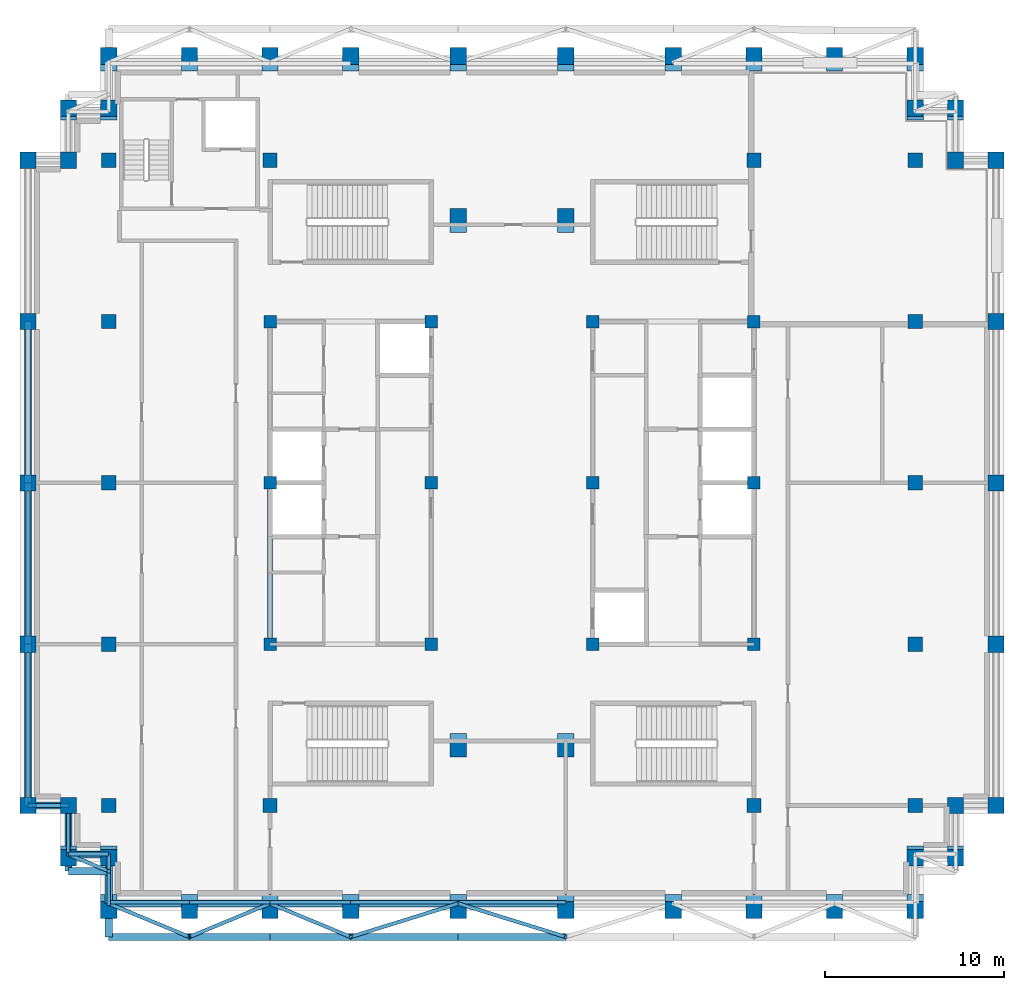
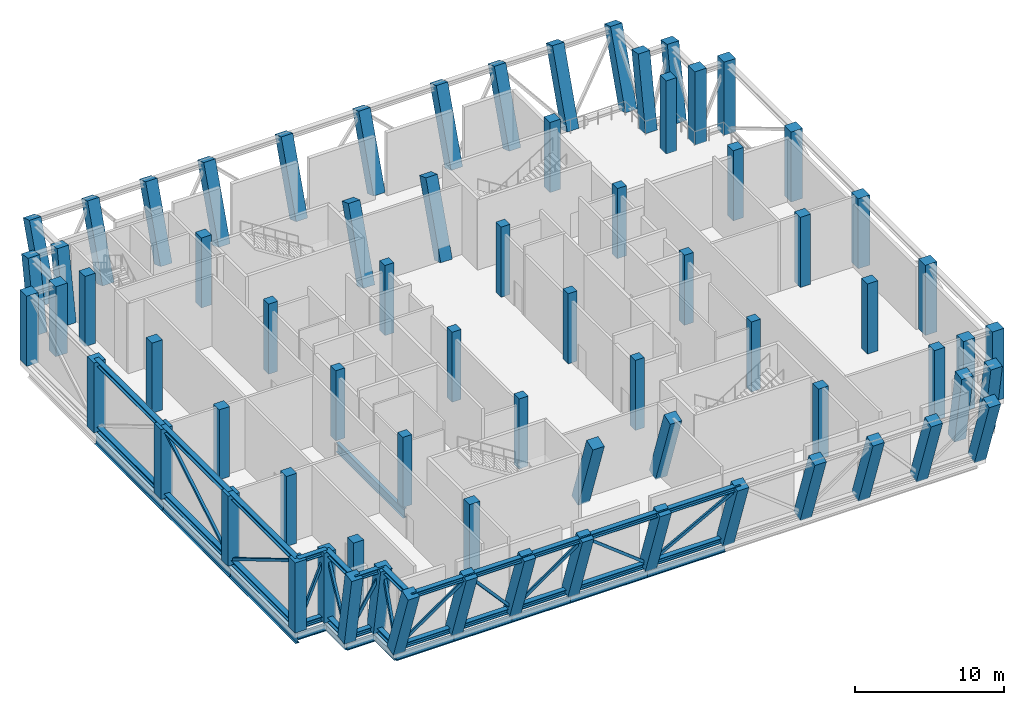
# One storey, part 1 of 9: 72 columns, 35 members, 13 beams.
"""IFC4 building model written with IfcOpenShell, lengths in metres."""

from ifc_helpers import new_model, si_unit, direction, frame, origin, origin_2d, place, context, subcontext, project, spatial, rectangle, hollow_rectangle, i_section, extrude, material, material_profile, profile_set, type_object, element, save


model = new_model("IFC4")

# Units and contexts
model_context = context("Model", 3, precision=1e-05, world=origin(), true_north=direction((0.0, 1.0)))
body_context = subcontext(model_context, "Body", "Model", "MODEL_VIEW")
ifc_project = project(units=[si_unit("LENGTHUNIT", "METRE"), si_unit("AREAUNIT", "SQUARE_METRE"), si_unit("VOLUMEUNIT", "CUBIC_METRE"), si_unit("PLANEANGLEUNIT", "RADIAN"), si_unit("MASSUNIT", "GRAM", prefix="KILO")], contexts=[model_context])

# Site, building, storey
site_placement = place(None, origin())
site = spatial("IfcSite", under=ifc_project, at=site_placement, CompositionType="ELEMENT")
building_placement = place(site_placement, origin())
building = spatial("IfcBuilding", under=site, at=building_placement, Name="Corbelhall Arena Tower", CompositionType="ELEMENT")
storey_placement = place(building_placement, frame((0.0, 0.0, 320.0)))
storey = spatial("IfcBuildingStorey", under=building, at=storey_placement, Name="L70", CompositionType="ELEMENT", Elevation=320.0)

# Columns
ifc_material_1 = material(Name="Concrete C80/95", Category="concrete")
ifc_material_profile_1 = material_profile(ifc_material_1, rectangle(XDim=0.699951171875, YDim=0.699951171875, at=origin_2d()))
ifc_profile_set_1 = profile_set([ifc_material_profile_1], Name="Concrete C80/95")
column_type_1 = type_object("IfcColumnType", Name="ST-COL-RC 700x700", PredefinedType="COLUMN", material=ifc_profile_set_1)
for number, where, z_axis, x_axis, name in (
    (1, (4.5, 0.0, 0.0), (0.0, 0.0, 1.0), (1.0, 0.0, 0.0), "Column KE+0450+0000"),
    (2, (4.5, 9.0, 0.0), (0.0, 0.0, 1.0), (1.0, 0.0, 0.0), "Column KE+0450+0900"),
    (3, (4.5, -9.0, 0.0), (0.0, 0.0, 1.0), (1.0, 0.0, 0.0), "Column KE+0450-0900"),
    (4, (13.5, 0.0, 0.0), (0.0, 0.0, 1.0), (1.0, 0.0, 0.0), "Column KE+1350+0000"),
    (5, (13.5, 9.0, 0.0), (0.0, 0.0, 1.0), (1.0, 0.0, 0.0), "Column KE+1350+0900"),
    (6, (13.5, -9.0, 0.0), (0.0, 0.0, 1.0), (1.0, 0.0, 0.0), "Column KE+1350-0900"),
    (7, (-4.5, 0.0, 0.0), (0.0, 0.0, 1.0), (1.0, 0.0, 0.0), "Column KW-0450+0000"),
    (8, (-4.5, 9.0, 0.0), (0.0, 0.0, 1.0), (1.0, 0.0, 0.0), "Column KW-0450+0900"),
    (9, (-4.5, -9.0, 0.0), (0.0, 0.0, 1.0), (1.0, 0.0, 0.0), "Column KW-0450-0900"),
    (10, (-13.5, 0.0, 0.0), (0.0, 0.0, 1.0), (1.0, 0.0, 0.0), "Column KW-1350+0000"),
    (11, (-13.5, 9.0, 0.0), (0.0, 0.0, 1.0), (1.0, 0.0, 0.0), "Column KW-1350+0900"),
    (12, (-13.5, -9.0, 0.0), (0.0, 0.0, 1.0), (1.0, 0.0, 0.0), "Column KW-1350-0900"),
):
    element("IfcColumn", number, at=place(storey_placement, frame(where, z_axis=z_axis, x_axis=x_axis)), inside=storey, type_object=column_type_1, Name=name, PredefinedType="COLUMN", context=body_context, shape_type="SweptSolid", body=[
        extrude(rectangle(XDim=0.699951171875, YDim=0.699951171875, at=origin_2d()), origin(), (0.0, 0.0, 1.0), 5.739990234375),
    ])
ifc_material_profile_2 = material_profile(ifc_material_1, rectangle(XDim=0.800048828125, YDim=0.800048828125, at=origin_2d()))
ifc_profile_set_2 = profile_set([ifc_material_profile_2], Name="Concrete C80/95")
column_type_2 = type_object("IfcColumnType", Name="ST-COL-RC 800x800", PredefinedType="COLUMN", material=ifc_profile_set_2)
for number, where, z_axis, x_axis, name in (
    (13, (13.5, 18.0, 0.0), (0.0, 0.0, 1.0), (1.0, 0.0, 0.0), "Column IE13+1800"),
    (14, (13.5, -18.0, 0.0), (0.0, 0.0, 1.0), (1.0, 0.0, 0.0), "Column IE13-1800"),
    (15, (22.5, 0.0, 0.0), (0.0, 0.0, 1.0), (1.0, 0.0, 0.0), "Column IE22+0000"),
    (16, (22.5, 9.0, 0.0), (0.0, 0.0, 1.0), (1.0, 0.0, 0.0), "Column IE22+0900"),
):
    element("IfcColumn", number, at=place(storey_placement, frame(where, z_axis=z_axis, x_axis=x_axis)), inside=storey, type_object=column_type_2, Name=name, PredefinedType="COLUMN", context=body_context, shape_type="SweptSolid", body=[
        extrude(rectangle(XDim=0.800048828125, YDim=0.800048828125, at=origin_2d()), origin(), (0.0, 0.0, 1.0), 5.739990234375),
    ])
column_1_placement = place(storey_placement, frame((22.5, 18.0, 0.0), z_axis=(0.0, 0.0, 1.0), x_axis=(1.0, 0.0, 0.0)))
element("IfcColumn", 17, at=column_1_placement, inside=storey, type_object=column_type_2, Name="Column IE22+1800", PredefinedType="COLUMN", context=body_context, shape_type="SweptSolid", body=[
    extrude(rectangle(XDim=0.800048828125, YDim=0.800048828125, at=origin_2d()), origin(), (0.0, 0.0, 1.0), 6.0),
])
for number, where, z_axis, x_axis, name in (
    (18, (22.5, -9.0, 0.0), (0.0, 0.0, 1.0), (1.0, 0.0, 0.0), "Column IE22-0900"),
    (19, (22.5, -18.0, 0.0), (0.0, 0.0, 1.0), (1.0, 0.0, 0.0), "Column IE22-1800"),
    (20, (-13.5, 18.0, 0.0), (0.0, 0.0, 1.0), (1.0, 0.0, 0.0), "Column IW13+1800"),
    (21, (-13.5, -18.0, 0.0), (0.0, 0.0, 1.0), (1.0, 0.0, 0.0), "Column IW13-1800"),
    (22, (-22.5, 0.0, 0.0), (0.0, 0.0, 1.0), (1.0, 0.0, 0.0), "Column IW22+0000"),
    (23, (-22.5, 9.0, 0.0), (0.0, 0.0, 1.0), (1.0, 0.0, 0.0), "Column IW22+0900"),
    (24, (-22.5, 18.0, 0.0), (0.0, 0.0, 1.0), (1.0, 0.0, 0.0), "Column IW22+1800"),
    (25, (-22.5, -9.0, 0.0), (0.0, 0.0, 1.0), (1.0, 0.0, 0.0), "Column IW22-0900"),
    (26, (-22.5, -18.0, 0.0), (0.0, 0.0, 1.0), (1.0, 0.0, 0.0), "Column IW22-1800"),
):
    element("IfcColumn", number, at=place(storey_placement, frame(where, z_axis=z_axis, x_axis=x_axis)), inside=storey, type_object=column_type_2, Name=name, PredefinedType="COLUMN", context=body_context, shape_type="SweptSolid", body=[
        extrude(rectangle(XDim=0.800048828125, YDim=0.800048828125, at=origin_2d()), origin(), (0.0, 0.0, 1.0), 5.739990234375),
    ])
ifc_material_profile_3 = material_profile(ifc_material_1, rectangle(XDim=0.89990234375, YDim=0.89990234375, at=origin_2d()))
ifc_profile_set_3 = profile_set([ifc_material_profile_3], Name="Concrete C80/95")
column_type_3 = type_object("IfcColumnType", Name="ST-COL-RC 900x900", PredefinedType="COLUMN", material=ifc_profile_set_3)
for number, where, z_axis, x_axis, name in (
    (27, (27.0, 0.0, 0.0), (0.0, 0.0, 1.0), (0.0, 1.0, 0.0), "Column PE+0000"),
    (28, (27.0, 9.0, 0.0), (0.0, 0.0, 1.0), (0.0, 1.0, 0.0), "Column PE+0900"),
):
    element("IfcColumn", number, at=place(storey_placement, frame(where, z_axis=z_axis, x_axis=x_axis)), inside=storey, type_object=column_type_3, Name=name, PredefinedType="COLUMN", context=body_context, shape_type="SweptSolid", body=[
        extrude(rectangle(XDim=0.89990234375, YDim=0.89990234375, at=origin_2d()), origin(), (0.0, 0.0, 1.0), 5.739990234375),
    ])
column_2_placement = place(storey_placement, frame((27.0, 18.0, 0.0), z_axis=(0.0, 0.0, 1.0), x_axis=(0.0, 1.0, 0.0)))
element("IfcColumn", 29, at=column_2_placement, inside=storey, type_object=column_type_3, Name="Column PE+1800", PredefinedType="COLUMN", context=body_context, shape_type="SweptSolid", body=[
    extrude(rectangle(XDim=0.89990234375, YDim=0.89990234375, at=origin_2d()), origin(), (0.0, 0.0, 1.0), 6.0),
])
for number, where, z_axis, x_axis, name in (
    (30, (27.0, -9.0, 0.0), (0.0, 0.0, 1.0), (0.0, 1.0, 0.0), "Column PE-0900"),
    (31, (27.0, -18.0, 0.0), (0.0, 0.0, 1.0), (0.0, 1.0, 0.0), "Column PE-1800"),
):
    element("IfcColumn", number, at=place(storey_placement, frame(where, z_axis=z_axis, x_axis=x_axis)), inside=storey, type_object=column_type_3, Name=name, PredefinedType="COLUMN", context=body_context, shape_type="SweptSolid", body=[
        extrude(rectangle(XDim=0.89990234375, YDim=0.89990234375, at=origin_2d()), origin(), (0.0, 0.0, 1.0), 5.739990234375),
    ])
for number, where, z_axis, x_axis, name in (
    (32, (3.0, 23.39990234375, 0.0), (0.0, 0.329031545899, 0.944318930131), (-1.0, 0.0, 0.0), "Column PNE0300"),
    (33, (9.0, 23.39990234375, 0.0), (0.0, 0.329031545899, 0.944318930131), (-1.0, 0.0, 0.0), "Column PNE0900"),
    (34, (13.5, 23.39990234375, 0.0), (0.0, 0.329031545899, 0.944318930131), (-1.0, 0.0, 0.0), "Column PNE1350"),
):
    element("IfcColumn", number, at=place(storey_placement, frame(where, z_axis=z_axis, x_axis=x_axis)), inside=storey, type_object=column_type_3, Name=name, PredefinedType="COLUMN", context=body_context, shape_type="SweptSolid", body=[
        extrude(rectangle(XDim=0.89990234375, YDim=0.89990234375, at=origin_2d()), origin(), (0.0, 0.0, 1.0), 6.078369140625),
    ])
for number, where, z_axis, x_axis, name in (
    (35, (18.0, 23.39990234375, 0.0), (0.0, 0.323359398438, 0.946276227875), (-1.0, 0.0, 0.0), "Column PNE1800"),
    (36, (22.5, 23.39990234375, 0.0), (0.0, 0.323359398438, 0.946276227875), (-1.0, 0.0, 0.0), "Column PNE2250"),
):
    element("IfcColumn", number, at=place(storey_placement, frame(where, z_axis=z_axis, x_axis=x_axis)), inside=storey, type_object=column_type_3, Name=name, PredefinedType="COLUMN", context=body_context, shape_type="SweptSolid", body=[
        extrude(rectangle(XDim=0.89990234375, YDim=0.89990234375, at=origin_2d()), origin(), (0.0, 0.0, 1.0), 6.18505859375),
    ])
for number, where, z_axis, x_axis, name in (
    (37, (-3.0, 23.39990234375, 0.0), (0.0, 0.329031545899, 0.944318930131), (-1.0, 0.0, 0.0), "Column PNW0300"),
    (38, (-9.0, 23.39990234375, 0.0), (0.0, 0.329031545899, 0.944318930131), (-1.0, 0.0, 0.0), "Column PNW0900"),
    (39, (-13.5, 23.39990234375, 0.0), (0.0, 0.329031545899, 0.944318930131), (-1.0, 0.0, 0.0), "Column PNW1350"),
    (40, (-18.0, 23.39990234375, 0.0), (0.0, 0.329031545899, 0.944318930131), (-1.0, 0.0, 0.0), "Column PNW1800"),
    (41, (-22.5, 23.39990234375, 0.0), (0.0, 0.329031545899, 0.944318930131), (-1.0, 0.0, 0.0), "Column PNW2250"),
    (42, (3.0, -23.39990234375, 0.0), (0.0, -0.329031545899, 0.944318930131), (1.0, 0.0, 0.0), "Column PSE0300"),
    (43, (9.0, -23.39990234375, 0.0), (0.0, -0.329031545899, 0.944318930131), (1.0, 0.0, 0.0), "Column PSE0900"),
    (44, (13.5, -23.39990234375, 0.0), (0.0, -0.329031545899, 0.944318930131), (1.0, 0.0, 0.0), "Column PSE1350"),
    (45, (18.0, -23.39990234375, 0.0), (0.0, -0.329031545899, 0.944318930131), (1.0, 0.0, 0.0), "Column PSE1800"),
    (46, (22.5, -23.39990234375, 0.0), (0.0, -0.329031545899, 0.944318930131), (1.0, 0.0, 0.0), "Column PSE2250"),
    (47, (-3.0, -23.39990234375, 0.0), (0.0, -0.329031545899, 0.944318930131), (1.0, 0.0, 0.0), "Column PSW0300"),
    (48, (-9.0, -23.39990234375, 0.0), (0.0, -0.329031545899, 0.944318930131), (1.0, 0.0, 0.0), "Column PSW0900"),
    (49, (-13.5, -23.39990234375, 0.0), (0.0, -0.329031545899, 0.944318930131), (1.0, 0.0, 0.0), "Column PSW1350"),
    (50, (-18.0, -23.39990234375, 0.0), (0.0, -0.329031545899, 0.944318930131), (1.0, 0.0, 0.0), "Column PSW1800"),
    (51, (-22.5, -23.39990234375, 0.0), (0.0, -0.329031545899, 0.944318930131), (1.0, 0.0, 0.0), "Column PSW2250"),
):
    element("IfcColumn", number, at=place(storey_placement, frame(where, z_axis=z_axis, x_axis=x_axis)), inside=storey, type_object=column_type_3, Name=name, PredefinedType="COLUMN", context=body_context, shape_type="SweptSolid", body=[
        extrude(rectangle(XDim=0.89990234375, YDim=0.89990234375, at=origin_2d()), origin(), (0.0, 0.0, 1.0), 6.078369140625),
    ])
for number, where, z_axis, x_axis, name in (
    (52, (-27.0, 0.0, 0.0), (0.0, 0.0, 1.0), (0.0, 1.0, 0.0), "Column PW+0000"),
    (53, (-27.0, 9.0, 0.0), (0.0, 0.0, 1.0), (0.0, 1.0, 0.0), "Column PW+0900"),
    (54, (-27.0, 18.0, 0.0), (0.0, 0.0, 1.0), (0.0, 1.0, 0.0), "Column PW+1800"),
    (55, (-27.0, -9.0, 0.0), (0.0, 0.0, 1.0), (0.0, 1.0, 0.0), "Column PW-0900"),
    (56, (-27.0, -18.0, 0.0), (0.0, 0.0, 1.0), (0.0, 1.0, 0.0), "Column PW-1800"),
):
    element("IfcColumn", number, at=place(storey_placement, frame(where, z_axis=z_axis, x_axis=x_axis)), inside=storey, type_object=column_type_3, Name=name, PredefinedType="COLUMN", context=body_context, shape_type="SweptSolid", body=[
        extrude(rectangle(XDim=0.89990234375, YDim=0.89990234375, at=origin_2d()), origin(), (0.0, 0.0, 1.0), 5.739990234375),
    ])
for number, where, z_axis, x_axis, name in (
    (57, (3.0, 14.39990234375, 0.0), (0.0, 0.329031545899, 0.944318930131), (-1.0, 0.0, 0.0), "Column SLNE2"),
    (58, (-3.0, 14.39990234375, 0.0), (0.0, 0.329031545899, 0.944318930131), (-1.0, 0.0, 0.0), "Column SLNW2"),
    (59, (3.0, -14.39990234375, 0.0), (0.0, -0.329031545899, 0.944318930131), (1.0, 0.0, 0.0), "Column SLSE2"),
    (60, (-3.0, -14.39990234375, 0.0), (0.0, -0.329031545899, 0.944318930131), (1.0, 0.0, 0.0), "Column SLSW2"),
):
    element("IfcColumn", number, at=place(storey_placement, frame(where, z_axis=z_axis, x_axis=x_axis)), inside=storey, type_object=column_type_3, Name=name, PredefinedType="COLUMN", context=body_context, shape_type="SweptSolid", body=[
        extrude(rectangle(XDim=0.89990234375, YDim=0.89990234375, at=origin_2d()), origin(), (0.0, 0.0, 1.0), 6.078369140625),
    ])
for number, where, z_axis, x_axis, name in (
    (61, (22.5, 20.699951171875, 0.0), (0.0, 0.166534790236, 0.986035579298), (-1.0, 0.0, 0.0), "Column XNE1"),
    (62, (24.75, 20.699951171875, 0.0), (0.0, 0.166534790236, 0.986035579298), (-1.0, 0.0, 0.0), "Column XNE2"),
):
    element("IfcColumn", number, at=place(storey_placement, frame(where, z_axis=z_axis, x_axis=x_axis)), inside=storey, type_object=column_type_3, Name=name, PredefinedType="COLUMN", context=body_context, shape_type="SweptSolid", body=[
        extrude(rectangle(XDim=0.89990234375, YDim=0.89990234375, at=origin_2d()), origin(), (0.0, 0.0, 1.0), 6.004638671875),
    ])
column_3_placement = place(storey_placement, frame((24.75, 18.0, 0.0), z_axis=(0.0, 0.0, 1.0), x_axis=(1.0, 0.0, 0.0)))
element("IfcColumn", 63, at=column_3_placement, inside=storey, type_object=column_type_3, Name="Column XNE3", PredefinedType="COLUMN", context=body_context, shape_type="SweptSolid", body=[
    extrude(rectangle(XDim=0.89990234375, YDim=0.89990234375, at=origin_2d()), origin(), (0.0, 0.0, 1.0), 6.0),
])
for number, where, z_axis, x_axis, name in (
    (64, (-22.5, 20.699951171875, 0.0), (0.0, 0.171631176286, 0.985161275795), (-1.0, 0.0, 0.0), "Column XNW1"),
    (65, (-24.75, 20.699951171875, 0.0), (0.0, 0.171631176286, 0.985161275795), (-1.0, 0.0, 0.0), "Column XNW2"),
):
    element("IfcColumn", number, at=place(storey_placement, frame(where, z_axis=z_axis, x_axis=x_axis)), inside=storey, type_object=column_type_3, Name=name, PredefinedType="COLUMN", context=body_context, shape_type="SweptSolid", body=[
        extrude(rectangle(XDim=0.89990234375, YDim=0.89990234375, at=origin_2d()), origin(), (0.0, 0.0, 1.0), 5.826416015625),
    ])
column_4_placement = place(storey_placement, frame((-24.75, 18.0, 0.0), z_axis=(0.0, 0.0, 1.0), x_axis=(1.0, 0.0, 0.0)))
element("IfcColumn", 66, at=column_4_placement, inside=storey, type_object=column_type_3, Name="Column XNW3", PredefinedType="COLUMN", context=body_context, shape_type="SweptSolid", body=[
    extrude(rectangle(XDim=0.89990234375, YDim=0.89990234375, at=origin_2d()), origin(), (0.0, 0.0, 1.0), 5.739990234375),
])
for number, where, z_axis, x_axis, name in (
    (67, (22.5, -20.699951171875, 0.0), (0.0, -0.171631176286, 0.985161275795), (1.0, 0.0, 0.0), "Column XSE1"),
    (68, (24.75, -20.699951171875, 0.0), (0.0, -0.171631176286, 0.985161275795), (1.0, 0.0, 0.0), "Column XSE2"),
):
    element("IfcColumn", number, at=place(storey_placement, frame(where, z_axis=z_axis, x_axis=x_axis)), inside=storey, type_object=column_type_3, Name=name, PredefinedType="COLUMN", context=body_context, shape_type="SweptSolid", body=[
        extrude(rectangle(XDim=0.89990234375, YDim=0.89990234375, at=origin_2d()), origin(), (0.0, 0.0, 1.0), 5.826416015625),
    ])
column_5_placement = place(storey_placement, frame((24.75, -18.0, 0.0), z_axis=(0.0, 0.0, 1.0), x_axis=(1.0, 0.0, 0.0)))
element("IfcColumn", 69, at=column_5_placement, inside=storey, type_object=column_type_3, Name="Column XSE3", PredefinedType="COLUMN", context=body_context, shape_type="SweptSolid", body=[
    extrude(rectangle(XDim=0.89990234375, YDim=0.89990234375, at=origin_2d()), origin(), (0.0, 0.0, 1.0), 5.739990234375),
])
for number, where, z_axis, x_axis, name in (
    (70, (-22.5, -20.699951171875, 0.0), (0.0, -0.171631176286, 0.985161275795), (1.0, 0.0, 0.0), "Column XSW1"),
    (71, (-24.75, -20.699951171875, 0.0), (0.0, -0.171631176286, 0.985161275795), (1.0, 0.0, 0.0), "Column XSW2"),
):
    element("IfcColumn", number, at=place(storey_placement, frame(where, z_axis=z_axis, x_axis=x_axis)), inside=storey, type_object=column_type_3, Name=name, PredefinedType="COLUMN", context=body_context, shape_type="SweptSolid", body=[
        extrude(rectangle(XDim=0.89990234375, YDim=0.89990234375, at=origin_2d()), origin(), (0.0, 0.0, 1.0), 5.826416015625),
    ])
column_6_placement = place(storey_placement, frame((-24.75, -18.0, 0.0), z_axis=(0.0, 0.0, 1.0), x_axis=(1.0, 0.0, 0.0)))
element("IfcColumn", 72, at=column_6_placement, inside=storey, type_object=column_type_3, Name="Column XSW3", PredefinedType="COLUMN", context=body_context, shape_type="SweptSolid", body=[
    extrude(rectangle(XDim=0.89990234375, YDim=0.89990234375, at=origin_2d()), origin(), (0.0, 0.0, 1.0), 5.739990234375),
])

# Beam
ifc_material_2 = material(Name="Steel ASTM A992 Gr50", Category="steel")
ifc_material_profile_4 = material_profile(ifc_material_2, i_section(OverallWidth=0.2666015625, OverallDepth=0.761962890625, WebThickness=0.014404296875, FlangeThickness=0.021484375, at=origin_2d()))
ifc_profile_set_4 = profile_set([ifc_material_profile_4], Name="Steel ASTM A992 Gr50")
beam_type_1 = type_object("IfcBeamType", Name="ST-BEAM-W30x116", PredefinedType="BEAM", material=ifc_profile_set_4)
beam_1_placement = place(storey_placement, frame((-13.5, -9.0, -0.791015625), z_axis=(0.0, 1.0, 0.0), x_axis=(-1.0, 0.0, 0.0)))
element("IfcBeam", 73, at=beam_1_placement, inside=storey, type_object=beam_type_1, Name="Beam CEW 1", PredefinedType="BEAM", context=body_context, shape_type="SweptSolid", body=[
    extrude(i_section(OverallWidth=0.2666015625, OverallDepth=0.761962890625, WebThickness=0.014404296875, FlangeThickness=0.021484375, at=origin_2d()), origin(), (0.0, 0.0, 1.0), 9.0),
])

# Members
ifc_material_profile_5 = material_profile(ifc_material_2, i_section(OverallWidth=0.398681640625, OverallDepth=0.393798828125, WebThickness=0.022705078125, FlangeThickness=0.03662109375, at=origin_2d()))
ifc_profile_set_5 = profile_set([ifc_material_profile_5], Name="Steel ASTM A992 Gr50")
member_type_1 = type_object("IfcMemberType", Name="ST-CHORD-W14x193", PredefinedType="CHORD", material=ifc_profile_set_5)
for number, where, z_axis, x_axis, name in (
    (74, (3.0, -23.468505859375, 0.19677734375), (-1.0, 0.0, 0.0), (0.0, -1.0, 0.0), "Truss chord BC 16"),
    (75, (3.0, -25.331298828125, 5.543212890625), (-1.0, 0.0, 0.0), (0.0, -1.0, 0.0), "Truss chord TC 16"),
    (76, (-3.0, -23.468505859375, 0.19677734375), (-1.0, 0.0, 0.0), (0.0, -1.0, 0.0), "Truss chord BC 21"),
    (77, (-3.0, -25.331298828125, 5.543212890625), (-1.0, 0.0, 0.0), (0.0, -1.0, 0.0), "Truss chord TC 21"),
):
    element("IfcMember", number, at=place(storey_placement, frame(where, z_axis=z_axis, x_axis=x_axis)), inside=storey, type_object=member_type_1, Name=name, PredefinedType="CHORD", context=body_context, shape_type="SweptSolid", body=[
        extrude(i_section(OverallWidth=0.398681640625, OverallDepth=0.393798828125, WebThickness=0.022705078125, FlangeThickness=0.03662109375, at=origin_2d()), origin(), (0.0, 0.0, 1.0), 6.0),
    ])
for number, where, z_axis, x_axis, name in (
    (78, (-9.0, -23.468505859375, 0.19677734375), (-1.0, 0.0, 0.0), (0.0, -1.0, 0.0), "Truss chord BC 22"),
    (79, (-9.0, -25.331298828125, 5.543212890625), (-1.0, 0.0, 0.0), (0.0, -1.0, 0.0), "Truss chord TC 22"),
    (80, (-13.5, -23.468505859375, 0.19677734375), (-1.0, 0.0, 0.0), (0.0, -1.0, 0.0), "Truss chord BC 23"),
    (81, (-13.5, -25.331298828125, 5.543212890625), (-1.0, 0.0, 0.0), (0.0, -1.0, 0.0), "Truss chord TC 23"),
    (82, (-18.0, -23.468505859375, 0.19677734375), (-1.0, 0.0, 0.0), (0.0, -1.0, 0.0), "Truss chord BC 24"),
    (83, (-18.0, -25.331298828125, 5.543212890625), (-1.0, 0.0, 0.0), (0.0, -1.0, 0.0), "Truss chord TC 24"),
):
    element("IfcMember", number, at=place(storey_placement, frame(where, z_axis=z_axis, x_axis=x_axis)), inside=storey, type_object=member_type_1, Name=name, PredefinedType="CHORD", context=body_context, shape_type="SweptSolid", body=[
        extrude(i_section(OverallWidth=0.398681640625, OverallDepth=0.393798828125, WebThickness=0.022705078125, FlangeThickness=0.03662109375, at=origin_2d()), origin(), (0.0, 0.0, 1.0), 4.5),
    ])
member_1_placement = place(storey_placement, frame((-22.5, -23.468505859375, 0.19677734375), z_axis=(0.0, 1.0, 0.0), x_axis=(-1.0, 0.0, 0.0)))
element("IfcMember", 84, at=member_1_placement, inside=storey, type_object=member_type_1, Name="Truss chord BC 25", PredefinedType="CHORD", context=body_context, shape_type="SweptSolid", body=[
    extrude(i_section(OverallWidth=0.398681640625, OverallDepth=0.393798828125, WebThickness=0.022705078125, FlangeThickness=0.03662109375, at=origin_2d()), origin(), (0.0, 0.0, 1.0), 2.734130859375),
])
member_2_placement = place(storey_placement, frame((-22.5, -25.331298828125, 5.543212890625), z_axis=(0.0, 1.0, 0.0), x_axis=(-1.0, 0.0, 0.0)))
element("IfcMember", 85, at=member_2_placement, inside=storey, type_object=member_type_1, Name="Truss chord TC 25", PredefinedType="CHORD", context=body_context, shape_type="SweptSolid", body=[
    extrude(i_section(OverallWidth=0.398681640625, OverallDepth=0.393798828125, WebThickness=0.022705078125, FlangeThickness=0.03662109375, at=origin_2d()), origin(), (0.0, 0.0, 1.0), 3.66552734375),
])
for number, where, z_axis, x_axis, name in (
    (86, (-27.0, 0.0, 0.19677734375), (0.0, 1.0, 0.0), (-1.0, 0.0, 0.0), "Truss chord BC 26"),
    (87, (-27.0, 0.0, 5.543212890625), (0.0, 1.0, 0.0), (-1.0, 0.0, 0.0), "Truss chord TC 26"),
    (88, (-27.0, -9.0, 0.19677734375), (0.0, 1.0, 0.0), (-1.0, 0.0, 0.0), "Truss chord BC 29"),
    (89, (-27.0, -9.0, 5.543212890625), (0.0, 1.0, 0.0), (-1.0, 0.0, 0.0), "Truss chord TC 29"),
    (90, (-27.0, -18.0, 0.19677734375), (0.0, 1.0, 0.0), (-1.0, 0.0, 0.0), "Truss chord BC 30"),
    (91, (-27.0, -18.0, 5.543212890625), (0.0, 1.0, 0.0), (-1.0, 0.0, 0.0), "Truss chord TC 30"),
):
    element("IfcMember", number, at=place(storey_placement, frame(where, z_axis=z_axis, x_axis=x_axis)), inside=storey, type_object=member_type_1, Name=name, PredefinedType="CHORD", context=body_context, shape_type="SweptSolid", body=[
        extrude(i_section(OverallWidth=0.398681640625, OverallDepth=0.393798828125, WebThickness=0.022705078125, FlangeThickness=0.03662109375, at=origin_2d()), origin(), (0.0, 0.0, 1.0), 9.0),
    ])
for number, where, z_axis, x_axis, name in (
    (92, (-22.5, -20.734375, 0.19677734375), (-1.0, 0.0, 0.0), (0.0, -1.0, 0.0), "Truss chord BC 40"),
    (93, (-22.5, -21.665771484375, 5.543212890625), (-1.0, 0.0, 0.0), (0.0, -1.0, 0.0), "Truss chord TC 40"),
):
    element("IfcMember", number, at=place(storey_placement, frame(where, z_axis=z_axis, x_axis=x_axis)), inside=storey, type_object=member_type_1, Name=name, PredefinedType="CHORD", context=body_context, shape_type="SweptSolid", body=[
        extrude(i_section(OverallWidth=0.398681640625, OverallDepth=0.393798828125, WebThickness=0.022705078125, FlangeThickness=0.03662109375, at=origin_2d()), origin(), (0.0, 0.0, 1.0), 2.25),
    ])
member_3_placement = place(storey_placement, frame((-24.75, -20.734375, 0.19677734375), z_axis=(0.0, 1.0, 0.0), x_axis=(-1.0, 0.0, 0.0)))
element("IfcMember", 94, at=member_3_placement, inside=storey, type_object=member_type_1, Name="Truss chord BC 41", PredefinedType="CHORD", context=body_context, shape_type="SweptSolid", body=[
    extrude(i_section(OverallWidth=0.398681640625, OverallDepth=0.393798828125, WebThickness=0.022705078125, FlangeThickness=0.03662109375, at=origin_2d()), origin(), (0.0, 0.0, 1.0), 2.734375),
])
member_4_placement = place(storey_placement, frame((-24.75, -21.665771484375, 5.543212890625), z_axis=(0.0, 1.0, 0.0), x_axis=(-1.0, 0.0, 0.0)))
element("IfcMember", 95, at=member_4_placement, inside=storey, type_object=member_type_1, Name="Truss chord TC 41", PredefinedType="CHORD", context=body_context, shape_type="SweptSolid", body=[
    extrude(i_section(OverallWidth=0.398681640625, OverallDepth=0.393798828125, WebThickness=0.022705078125, FlangeThickness=0.03662109375, at=origin_2d()), origin(), (0.0, 0.0, 1.0), 3.665771484375),
])
for number, where, z_axis, x_axis, name in (
    (96, (-24.75, -18.0, 0.19677734375), (-1.0, 0.0, 0.0), (0.0, -1.0, 0.0), "Truss chord BC 42"),
    (97, (-24.75, -18.0, 5.543212890625), (-1.0, 0.0, 0.0), (0.0, -1.0, 0.0), "Truss chord TC 42"),
):
    element("IfcMember", number, at=place(storey_placement, frame(where, z_axis=z_axis, x_axis=x_axis)), inside=storey, type_object=member_type_1, Name=name, PredefinedType="CHORD", context=body_context, shape_type="SweptSolid", body=[
        extrude(i_section(OverallWidth=0.398681640625, OverallDepth=0.393798828125, WebThickness=0.022705078125, FlangeThickness=0.03662109375, at=origin_2d()), origin(), (0.0, 0.0, 1.0), 2.25),
    ])

# Beams
ifc_material_profile_6 = material_profile(ifc_material_2, i_section(OverallWidth=0.209228515625, OverallDepth=0.533447265625, WebThickness=0.01025390625, FlangeThickness=0.015625, at=origin_2d()))
ifc_profile_set_6 = profile_set([ifc_material_profile_6], Name="Steel ASTM A992 Gr50")
beam_type_2 = type_object("IfcBeamType", Name="ST-SPANDREL-W21x62", PredefinedType="SPANDREL", material=ifc_profile_set_6)
for number, where, z_axis, x_axis, name in (
    (98, (3.0, -23.39990234375, -0.6767578125), (-1.0, 0.0, 0.0), (0.0, -1.0, 0.0), "Beam SP 16"),
    (99, (-3.0, -23.39990234375, -0.6767578125), (-1.0, 0.0, 0.0), (0.0, -1.0, 0.0), "Beam SP 21"),
):
    element("IfcBeam", number, at=place(storey_placement, frame(where, z_axis=z_axis, x_axis=x_axis)), inside=storey, type_object=beam_type_2, Name=name, PredefinedType="SPANDREL", context=body_context, shape_type="SweptSolid", body=[
        extrude(i_section(OverallWidth=0.209228515625, OverallDepth=0.533447265625, WebThickness=0.01025390625, FlangeThickness=0.015625, at=origin_2d()), origin(), (0.0, 0.0, 1.0), 6.0),
    ])
for number, where, z_axis, x_axis, name in (
    (100, (-9.0, -23.39990234375, -0.6767578125), (-1.0, 0.0, 0.0), (0.0, -1.0, 0.0), "Beam SP 22"),
    (101, (-13.5, -23.39990234375, -0.6767578125), (-1.0, 0.0, 0.0), (0.0, -1.0, 0.0), "Beam SP 23"),
    (102, (-18.0, -23.39990234375, -0.6767578125), (-1.0, 0.0, 0.0), (0.0, -1.0, 0.0), "Beam SP 24"),
):
    element("IfcBeam", number, at=place(storey_placement, frame(where, z_axis=z_axis, x_axis=x_axis)), inside=storey, type_object=beam_type_2, Name=name, PredefinedType="SPANDREL", context=body_context, shape_type="SweptSolid", body=[
        extrude(i_section(OverallWidth=0.209228515625, OverallDepth=0.533447265625, WebThickness=0.01025390625, FlangeThickness=0.015625, at=origin_2d()), origin(), (0.0, 0.0, 1.0), 4.5),
    ])
beam_2_placement = place(storey_placement, frame((-22.5, -23.39990234375, -0.6767578125), z_axis=(0.0, 1.0, 0.0), x_axis=(-1.0, 0.0, 0.0)))
element("IfcBeam", 103, at=beam_2_placement, inside=storey, type_object=beam_type_2, Name="Beam SP 25", PredefinedType="SPANDREL", context=body_context, shape_type="SweptSolid", body=[
    extrude(i_section(OverallWidth=0.209228515625, OverallDepth=0.533447265625, WebThickness=0.01025390625, FlangeThickness=0.015625, at=origin_2d()), origin(), (0.0, 0.0, 1.0), 2.699951171875),
])
beam_3_placement = place(storey_placement, frame((-22.5, -20.699951171875, -0.6767578125), z_axis=(-1.0, 0.0, 0.0), x_axis=(0.0, -1.0, 0.0)))
element("IfcBeam", 104, at=beam_3_placement, inside=storey, type_object=beam_type_2, Name="Beam SP 40", PredefinedType="SPANDREL", context=body_context, shape_type="SweptSolid", body=[
    extrude(i_section(OverallWidth=0.209228515625, OverallDepth=0.533447265625, WebThickness=0.01025390625, FlangeThickness=0.015625, at=origin_2d()), origin(), (0.0, 0.0, 1.0), 2.25),
])
beam_4_placement = place(storey_placement, frame((-24.75, -20.699951171875, -0.6767578125), z_axis=(0.0, 1.0, 0.0), x_axis=(-1.0, 0.0, 0.0)))
element("IfcBeam", 105, at=beam_4_placement, inside=storey, type_object=beam_type_2, Name="Beam SP 41", PredefinedType="SPANDREL", context=body_context, shape_type="SweptSolid", body=[
    extrude(i_section(OverallWidth=0.209228515625, OverallDepth=0.533447265625, WebThickness=0.01025390625, FlangeThickness=0.015625, at=origin_2d()), origin(), (0.0, 0.0, 1.0), 2.699951171875),
])
beam_5_placement = place(storey_placement, frame((-24.75, -18.0, -0.6767578125), z_axis=(-1.0, 0.0, 0.0), x_axis=(0.0, -1.0, 0.0)))
element("IfcBeam", 106, at=beam_5_placement, inside=storey, type_object=beam_type_2, Name="Beam SP 42", PredefinedType="SPANDREL", context=body_context, shape_type="SweptSolid", body=[
    extrude(i_section(OverallWidth=0.209228515625, OverallDepth=0.533447265625, WebThickness=0.01025390625, FlangeThickness=0.015625, at=origin_2d()), origin(), (0.0, 0.0, 1.0), 2.25),
])
ifc_material_profile_7 = material_profile(ifc_material_2, i_section(OverallWidth=0.2919921875, OverallDepth=0.845703125, WebThickness=0.015380859375, FlangeThickness=0.0244140625, at=origin_2d()))
ifc_profile_set_7 = profile_set([ifc_material_profile_7], Name="Steel ASTM A992 Gr50")
beam_type_3 = type_object("IfcBeamType", Name="ST-SPANDREL-W33x141", PredefinedType="SPANDREL", material=ifc_profile_set_7)
for number, where, z_axis, x_axis, name in (
    (107, (-27.0, 0.0, -0.8330078125), (0.0, 1.0, 0.0), (-1.0, 0.0, 0.0), "Beam SP 26"),
    (108, (-27.0, -9.0, -0.8330078125), (0.0, 1.0, 0.0), (-1.0, 0.0, 0.0), "Beam SP 29"),
    (109, (-27.0, -18.0, -0.8330078125), (0.0, 1.0, 0.0), (-1.0, 0.0, 0.0), "Beam SP 30"),
):
    element("IfcBeam", number, at=place(storey_placement, frame(where, z_axis=z_axis, x_axis=x_axis)), inside=storey, type_object=beam_type_3, Name=name, PredefinedType="SPANDREL", context=body_context, shape_type="SweptSolid", body=[
        extrude(i_section(OverallWidth=0.2919921875, OverallDepth=0.845703125, WebThickness=0.015380859375, FlangeThickness=0.0244140625, at=origin_2d()), origin(), (0.0, 0.0, 1.0), 9.0),
    ])

# Members
ifc_material_3 = material(Name="Steel ASTM A500 Gr C", Category="steel")
ifc_material_profile_8 = material_profile(ifc_material_3, hollow_rectangle(XDim=0.203125, YDim=0.203125, WallThickness=0.0087890625, at=origin_2d()))
ifc_profile_set_8 = profile_set([ifc_material_profile_8], Name="Steel ASTM A500 Gr C")
member_type_2 = type_object("IfcMemberType", Name="ST-STRUT-HSS8x8x3/8", PredefinedType="STRUT", material=ifc_profile_set_8)
for number, where, z_axis, x_axis, name in (
    (110, (-3.0, -23.468505859375, 0.19677734375), (0.72731616343, -0.225806572549, 0.64809149833), (0.296504329853, 0.955031508579, 0.0), "Truss diagonal 16"),
    (111, (-3.0, -23.468505859375, 0.19677734375), (-0.72731616343, -0.225806572549, 0.64809149833), (0.296504329853, -0.955031508579, 0.0), "Truss diagonal 21"),
):
    element("IfcMember", number, at=place(storey_placement, frame(where, z_axis=z_axis, x_axis=x_axis)), inside=storey, type_object=member_type_2, Name=name, PredefinedType="STRUT", context=body_context, shape_type="SweptSolid", body=[
        extrude(hollow_rectangle(XDim=0.203125, YDim=0.203125, WallThickness=0.0087890625, at=origin_2d()), origin(), (0.0, 0.0, 1.0), 8.24951171875),
    ])
for number, where, z_axis, x_axis, name in (
    (112, (-13.5, -23.468505859375, 0.19677734375), (0.622219364782, -0.257570190608, 0.73925682885), (0.382478712885, 0.923964303526, 0.0), "Truss diagonal 22"),
    (113, (-13.5, -23.468505859375, 0.19677734375), (-0.622219364782, -0.257570190608, 0.73925682885), (0.382478712885, -0.923964303526, 0.0), "Truss diagonal 23"),
    (114, (-22.5, -23.468505859375, 0.19677734375), (0.622219364782, -0.257570190608, 0.73925682885), (0.382478712885, 0.923964303526, 0.0), "Truss diagonal 24"),
):
    element("IfcMember", number, at=place(storey_placement, frame(where, z_axis=z_axis, x_axis=x_axis)), inside=storey, type_object=member_type_2, Name=name, PredefinedType="STRUT", context=body_context, shape_type="SweptSolid", body=[
        extrude(hollow_rectangle(XDim=0.203125, YDim=0.203125, WallThickness=0.0087890625, at=origin_2d()), origin(), (0.0, 0.0, 1.0), 7.232177734375),
    ])
member_5_placement = place(storey_placement, frame((-22.5, -23.468505859375, 0.19677734375), z_axis=(0.0, 0.319510109597, 0.947582867018), x_axis=(-1.0, 0.0, 0.0)))
element("IfcMember", 115, at=member_5_placement, inside=storey, type_object=member_type_2, Name="Truss diagonal 25", PredefinedType="STRUT", context=body_context, shape_type="SweptSolid", body=[
    extrude(hollow_rectangle(XDim=0.203125, YDim=0.203125, WallThickness=0.0087890625, at=origin_2d()), origin(), (0.0, 0.0, 1.0), 5.64208984375),
])
for number, where, z_axis, x_axis, name in (
    (116, (-27.0, -9.0, 0.19677734375), (0.0, 0.859742103775, 0.510728416085), (-1.0, 0.0, 0.0), "Truss diagonal 29"),
    (117, (-27.0, -9.0, 0.19677734375), (0.0, -0.859742103775, 0.510728416085), (1.0, 0.0, 0.0), "Truss diagonal 30"),
):
    element("IfcMember", number, at=place(storey_placement, frame(where, z_axis=z_axis, x_axis=x_axis)), inside=storey, type_object=member_type_2, Name=name, PredefinedType="STRUT", context=body_context, shape_type="SweptSolid", body=[
        extrude(hollow_rectangle(XDim=0.203125, YDim=0.203125, WallThickness=0.0087890625, at=origin_2d()), origin(), (0.0, 0.0, 1.0), 10.46826171875),
    ])
member_6_placement = place(storey_placement, frame((-24.75, -20.734375, 0.19677734375), z_axis=(0.38298567252, -0.158538448423, 0.910048094892), x_axis=(0.382478712885, 0.923964303526, 0.0)))
element("IfcMember", 118, at=member_6_placement, inside=storey, type_object=member_type_2, Name="Truss diagonal 40", PredefinedType="STRUT", context=body_context, shape_type="SweptSolid", body=[
    extrude(hollow_rectangle(XDim=0.203125, YDim=0.203125, WallThickness=0.0087890625, at=origin_2d()), origin(), (0.0, 0.0, 1.0), 5.875),
])
member_7_placement = place(storey_placement, frame((-24.75, -20.734375, 0.19677734375), z_axis=(0.0, 0.455342418252, 0.890316394402), x_axis=(-1.0, 0.0, 0.0)))
element("IfcMember", 119, at=member_7_placement, inside=storey, type_object=member_type_2, Name="Truss diagonal 41", PredefinedType="STRUT", context=body_context, shape_type="SweptSolid", body=[
    extrude(hollow_rectangle(XDim=0.203125, YDim=0.203125, WallThickness=0.0087890625, at=origin_2d()), origin(), (0.0, 0.0, 1.0), 6.005126953125),
])
member_8_placement = place(storey_placement, frame((-27.0, -18.0, 0.19677734375), z_axis=(0.387891411065, 0.0, 0.921705079308), x_axis=(0.0, 1.0, 0.0)))
element("IfcMember", 120, at=member_8_placement, inside=storey, type_object=member_type_2, Name="Truss diagonal 42", PredefinedType="STRUT", context=body_context, shape_type="SweptSolid", body=[
    extrude(hollow_rectangle(XDim=0.203125, YDim=0.203125, WallThickness=0.0087890625, at=origin_2d()), origin(), (0.0, 0.0, 1.0), 5.800537109375),
])

save(model, "model.ifc")
